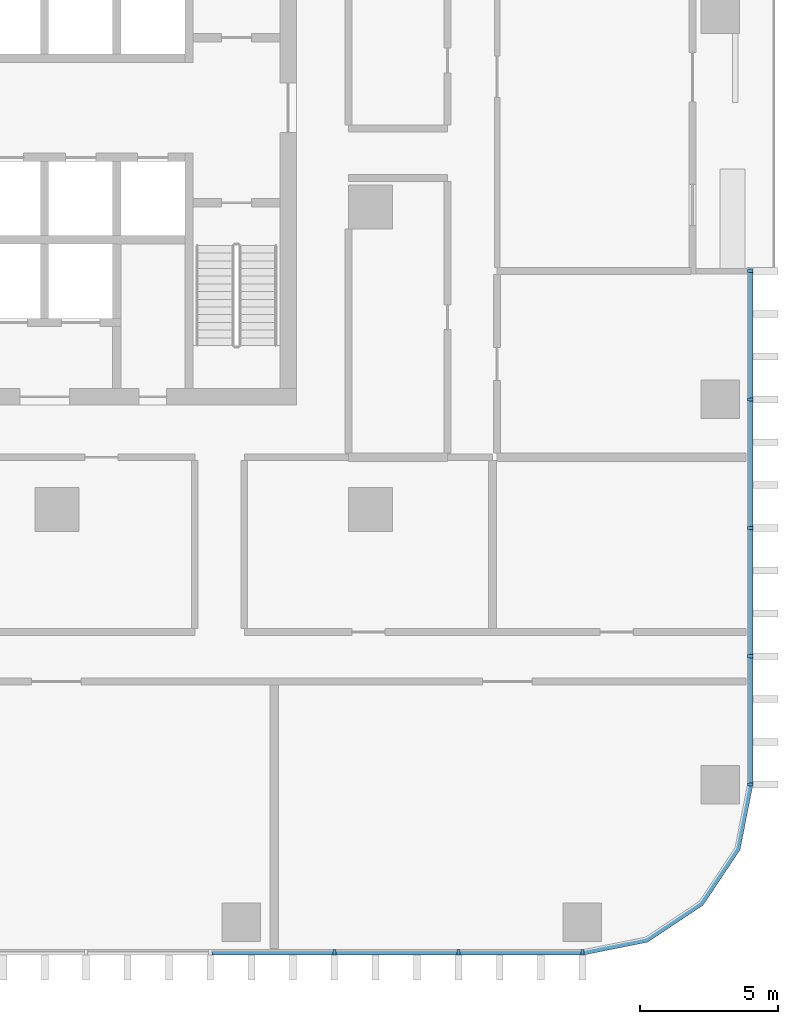
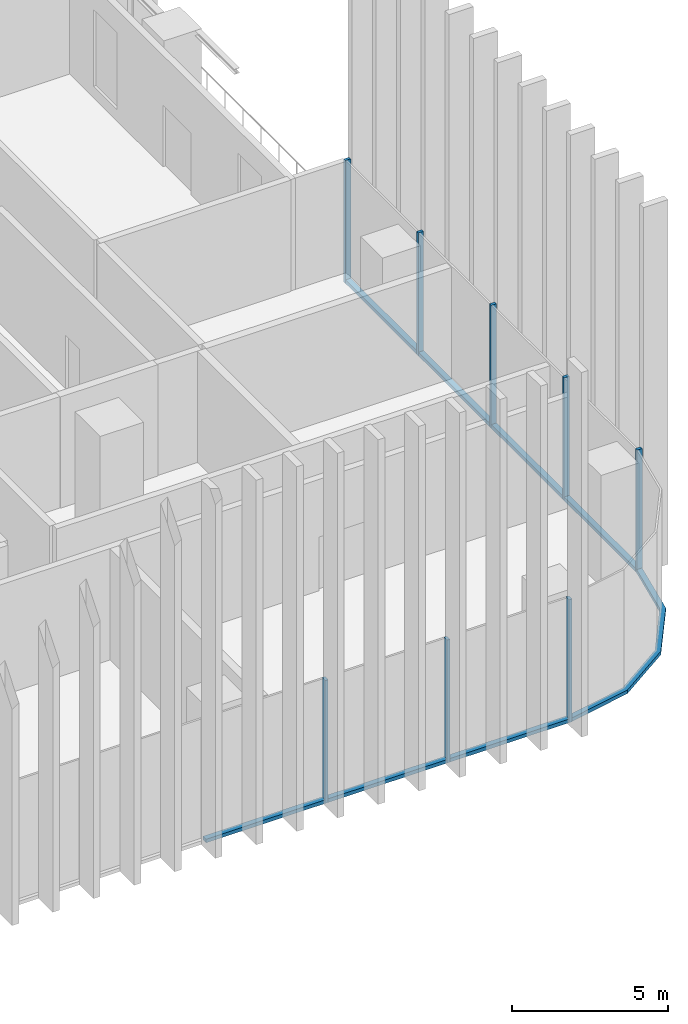
# One storey, part 3 of 17: 16 members, 3 elements without a shape of their own.
"""IFC4 building model written with IfcOpenShell, lengths in metres."""

from ifc_helpers import new_model, si_unit, direction, frame, origin, origin_2d, place, context, subcontext, project, spatial, polyline, rectangle, outline, extrude, material, material_profile, profile_set, type_object, element, aggregate, save


model = new_model("IFC4")

# Units and contexts
model_context = context("Model", 3, precision=1e-05, world=origin(), true_north=direction((0.0, 1.0)))
body_context = subcontext(model_context, "Body", "Model", "MODEL_VIEW")
ifc_project = project(units=[si_unit("LENGTHUNIT", "METRE"), si_unit("AREAUNIT", "SQUARE_METRE"), si_unit("VOLUMEUNIT", "CUBIC_METRE"), si_unit("PLANEANGLEUNIT", "RADIAN"), si_unit("MASSUNIT", "GRAM", prefix="KILO")], contexts=[model_context])

# Site, building, storey
site_placement = place(None, origin())
site = spatial("IfcSite", under=ifc_project, at=site_placement, CompositionType="ELEMENT")
building_placement = place(site_placement, origin())
building = spatial("IfcBuilding", under=site, at=building_placement, Name="Mopane Tessera Tower", CompositionType="ELEMENT")
storey_placement = place(building_placement, frame((0.0, 0.0, 74.199951171875)))
storey = spatial("IfcBuildingStorey", under=building, at=storey_placement, Name="L14", CompositionType="ELEMENT", Elevation=74.199951171875)

# Curtain wall, members
ifc_material_1 = material(Name="Aluminium frame", Category="aluminium")
curtain_wall_type = type_object("IfcCurtainWallType", Name="Lower tower unitised wall", PredefinedType="NOTDEFINED", material=ifc_material_1)
curtain_wall_1_placement = place(storey_placement, origin())
curtain_wall_1 = element("IfcCurtainWall", 1, at=curtain_wall_1_placement, inside=storey, type_object=curtain_wall_type, Name="e:cw:L14:S:5", PredefinedType="NOTDEFINED")
ifc_material_2 = material(Name="Aluminium frame", Category="aluminium")
ifc_material_profile_1 = material_profile(ifc_material_2, rectangle(XDim=0.110107421875, YDim=0.199951171875, at=origin_2d()))
ifc_profile_set_1 = profile_set([ifc_material_profile_1], Name="Aluminium frame")
member_type_1 = type_object("IfcMemberType", Name="Aluminium mullion 110 x 200", PredefinedType="MULLION", material=ifc_profile_set_1)
member_1_placement = place(storey_placement, frame((15.78173828125, -27.10009765625, -0.449951171875), z_axis=(0.0, 0.0, 1.0), x_axis=(1.0, 0.0, 0.0)))
member_1 = element("IfcMember", 2, at=member_1_placement, type_object=member_type_1, Name="e:cw:L14:S:5:mu9", PredefinedType="MULLION", context=body_context, shape_type="SweptSolid", body=[
    extrude(rectangle(XDim=0.110107421875, YDim=0.199951171875, at=origin_2d()), origin(), (0.0, 0.0, 1.0), 4.800048828125),
])
member_2_placement = place(storey_placement, frame((20.291015625, -27.10009765625, -0.449951171875), z_axis=(0.0, 0.0, 1.0), x_axis=(1.0, 0.0, 0.0)))
member_2 = element("IfcMember", 3, at=member_2_placement, type_object=member_type_1, Name="e:cw:L14:S:5:mu10", PredefinedType="MULLION", context=body_context, shape_type="SweptSolid", body=[
    extrude(rectangle(XDim=0.110107421875, YDim=0.199951171875, at=origin_2d()), origin(), (0.0, 0.0, 1.0), 4.800048828125),
])
member_3_placement = place(storey_placement, frame((24.800048828125, -27.10009765625, -0.449951171875), z_axis=(0.0, 0.0, 1.0), x_axis=(1.0, 0.0, 0.0)))
member_3 = element("IfcMember", 4, at=member_3_placement, type_object=member_type_1, Name="e:cw:L14:S:5:mu11", PredefinedType="MULLION", context=body_context, shape_type="SweptSolid", body=[
    extrude(rectangle(XDim=0.110107421875, YDim=0.199951171875, at=origin_2d()), origin(), (0.0, 0.0, 1.0), 4.800048828125),
])

curtain_wall_2_placement = place(storey_placement, origin())
curtain_wall_2 = element("IfcCurtainWall", 5, at=curtain_wall_2_placement, inside=storey, type_object=curtain_wall_type, Name="e:cw:L14:E:0", PredefinedType="NOTDEFINED")
member_4_placement = place(storey_placement, frame((30.89990234375, -21.0, -0.449951171875), z_axis=(0.0, 0.0, 1.0), x_axis=(0.0, 1.0, 0.0)))
member_4 = element("IfcMember", 6, at=member_4_placement, type_object=member_type_1, Name="e:cw:L14:E:0:mu0", PredefinedType="MULLION", context=body_context, shape_type="SweptSolid", body=[
    extrude(rectangle(XDim=0.110107421875, YDim=0.199951171875, at=origin_2d()), origin(), (0.0, 0.0, 1.0), 4.800048828125),
])
member_5_placement = place(storey_placement, frame((30.89990234375, -16.333251953125, -0.449951171875), z_axis=(0.0, 0.0, 1.0), x_axis=(0.0, 1.0, 0.0)))
member_5 = element("IfcMember", 7, at=member_5_placement, type_object=member_type_1, Name="e:cw:L14:E:0:mu1", PredefinedType="MULLION", context=body_context, shape_type="SweptSolid", body=[
    extrude(rectangle(XDim=0.110107421875, YDim=0.199951171875, at=origin_2d()), origin(), (0.0, 0.0, 1.0), 4.800048828125),
])
member_6_placement = place(storey_placement, frame((30.89990234375, -11.666748046875, -0.449951171875), z_axis=(0.0, 0.0, 1.0), x_axis=(0.0, 1.0, 0.0)))
member_6 = element("IfcMember", 8, at=member_6_placement, type_object=member_type_1, Name="e:cw:L14:E:0:mu2", PredefinedType="MULLION", context=body_context, shape_type="SweptSolid", body=[
    extrude(rectangle(XDim=0.110107421875, YDim=0.199951171875, at=origin_2d()), origin(), (0.0, 0.0, 1.0), 4.800048828125),
])
member_7_placement = place(storey_placement, frame((30.89990234375, -7.0, -0.449951171875), z_axis=(0.0, 0.0, 1.0), x_axis=(0.0, 1.0, 0.0)))
member_7 = element("IfcMember", 9, at=member_7_placement, type_object=member_type_1, Name="e:cw:L14:E:0:mu3", PredefinedType="MULLION", context=body_context, shape_type="SweptSolid", body=[
    extrude(rectangle(XDim=0.110107421875, YDim=0.199951171875, at=origin_2d()), origin(), (0.0, 0.0, 1.0), 4.800048828125),
])
member_8_placement = place(storey_placement, frame((30.89990234375, -2.333251953125, -0.449951171875), z_axis=(0.0, 0.0, 1.0), x_axis=(0.0, 1.0, 0.0)))
member_8 = element("IfcMember", 10, at=member_8_placement, type_object=member_type_1, Name="e:cw:L14:E:0:mu4", PredefinedType="MULLION", context=body_context, shape_type="SweptSolid", body=[
    extrude(rectangle(XDim=0.110107421875, YDim=0.199951171875, at=origin_2d()), origin(), (0.0, 0.0, 1.0), 4.800048828125),
])

# Member
ifc_material_3 = material(Name="Aluminium frame", Category="aluminium")
ifc_material_profile_2 = material_profile(ifc_material_3, rectangle(XDim=0.199951171875, YDim=0.139892578125, at=origin_2d()))
ifc_profile_set_2 = profile_set([ifc_material_profile_2], Name="Aluminium frame")
member_type_2 = type_object("IfcMemberType", Name="Aluminium transom 200 x 140", PredefinedType="USERDEFINED", material=ifc_profile_set_2)
member_9_placement = place(storey_placement, frame((11.32763671875, -27.10009765625, -0.3798828125), z_axis=(1.0, 0.0, 0.0), x_axis=(0.0, 1.0, 0.0)))
member_9 = element("IfcMember", 11, at=member_9_placement, type_object=member_type_2, Name="e:cw:L14:S:5:tr8", ObjectType="TRANSOM", PredefinedType="USERDEFINED", context=body_context, shape_type="SweptSolid", body=[
    extrude(rectangle(XDim=0.199951171875, YDim=0.139892578125, at=origin_2d()), origin(), (0.0, 0.0, 1.0), 4.399169921875),
])

member_10_placement = place(storey_placement, frame((15.8369140625, -27.10009765625, -0.3798828125), z_axis=(1.0, 0.0, 0.0), x_axis=(0.0, 1.0, 0.0)))
member_10 = element("IfcMember", 12, at=member_10_placement, type_object=member_type_2, Name="e:cw:L14:S:5:tr9", ObjectType="TRANSOM", PredefinedType="USERDEFINED", context=body_context, shape_type="SweptSolid", body=[
    extrude(rectangle(XDim=0.199951171875, YDim=0.139892578125, at=origin_2d()), origin(), (0.0, 0.0, 1.0), 4.39892578125),
])

member_11_placement = place(storey_placement, frame((20.345947265625, -27.10009765625, -0.3798828125), z_axis=(1.0, 0.0, 0.0), x_axis=(0.0, 1.0, 0.0)))
member_11 = element("IfcMember", 13, at=member_11_placement, type_object=member_type_2, Name="e:cw:L14:S:5:tr10", ObjectType="TRANSOM", PredefinedType="USERDEFINED", context=body_context, shape_type="SweptSolid", body=[
    extrude(rectangle(XDim=0.199951171875, YDim=0.139892578125, at=origin_2d()), origin(), (0.0, 0.0, 1.0), 4.399169921875),
])

aggregate(curtain_wall_1, [member_1, member_2, member_3, member_9, member_10, member_11])

# Curtain wall, member
curtain_wall_3_placement = place(storey_placement, origin())
curtain_wall_3 = element("IfcCurtainWall", 14, at=curtain_wall_3_placement, inside=storey, type_object=curtain_wall_type, Name="e:cw:L14:CS", PredefinedType="NOTDEFINED")
member_12_placement = place(storey_placement, frame((0.0, 0.0, -0.449951171875)))
member_12 = element("IfcMember", 15, at=member_12_placement, type_object=member_type_2, Name="e:cw:L14:CS:tr", ObjectType="TRANSOM", PredefinedType="USERDEFINED", context=body_context, shape_type="SweptSolid", body=[
    extrude(outline(polyline([(24.800048828125, -27.0), (27.09619140625, -26.543212890625), (29.042724609375, -25.24267578125), (30.34326171875, -23.296142578125), (30.800048828125, -21.0), (31.0, -21.0), (30.528076171875, -23.37255859375), (29.18408203125, -25.384033203125), (27.172607421875, -26.72802734375), (24.800048828125, -27.199951171875), (24.800048828125, -27.0)])), origin(), (0.0, 0.0, 1.0), 0.139892578125),
])
aggregate(curtain_wall_3, [member_12])

# Member
member_13_placement = place(storey_placement, frame((30.89990234375, -20.945068359375, -0.3798828125), z_axis=(0.0, 1.0, 0.0), x_axis=(-1.0, 0.0, 0.0)))
member_13 = element("IfcMember", 16, at=member_13_placement, type_object=member_type_2, Name="e:cw:L14:E:0:tr0", ObjectType="TRANSOM", PredefinedType="USERDEFINED", context=body_context, shape_type="SweptSolid", body=[
    extrude(rectangle(XDim=0.199951171875, YDim=0.139892578125, at=origin_2d()), origin(), (0.0, 0.0, 1.0), 4.556640625),
])

member_14_placement = place(storey_placement, frame((30.89990234375, -16.2783203125, -0.3798828125), z_axis=(0.0, 1.0, 0.0), x_axis=(-1.0, 0.0, 0.0)))
member_14 = element("IfcMember", 17, at=member_14_placement, type_object=member_type_2, Name="e:cw:L14:E:0:tr1", ObjectType="TRANSOM", PredefinedType="USERDEFINED", context=body_context, shape_type="SweptSolid", body=[
    extrude(rectangle(XDim=0.199951171875, YDim=0.139892578125, at=origin_2d()), origin(), (0.0, 0.0, 1.0), 4.556640625),
])

member_15_placement = place(storey_placement, frame((30.89990234375, -11.611572265625, -0.3798828125), z_axis=(0.0, 1.0, 0.0), x_axis=(-1.0, 0.0, 0.0)))
member_15 = element("IfcMember", 18, at=member_15_placement, type_object=member_type_2, Name="e:cw:L14:E:0:tr2", ObjectType="TRANSOM", PredefinedType="USERDEFINED", context=body_context, shape_type="SweptSolid", body=[
    extrude(rectangle(XDim=0.199951171875, YDim=0.139892578125, at=origin_2d()), origin(), (0.0, 0.0, 1.0), 4.556640625),
])

member_16_placement = place(storey_placement, frame((30.89990234375, -6.945068359375, -0.3798828125), z_axis=(0.0, 1.0, 0.0), x_axis=(-1.0, 0.0, 0.0)))
member_16 = element("IfcMember", 19, at=member_16_placement, type_object=member_type_2, Name="e:cw:L14:E:0:tr3", ObjectType="TRANSOM", PredefinedType="USERDEFINED", context=body_context, shape_type="SweptSolid", body=[
    extrude(rectangle(XDim=0.199951171875, YDim=0.139892578125, at=origin_2d()), origin(), (0.0, 0.0, 1.0), 4.556640625),
])

aggregate(curtain_wall_2, [member_4, member_5, member_6, member_7, member_8, member_13, member_14, member_15, member_16])

save(model, "model.ifc")
